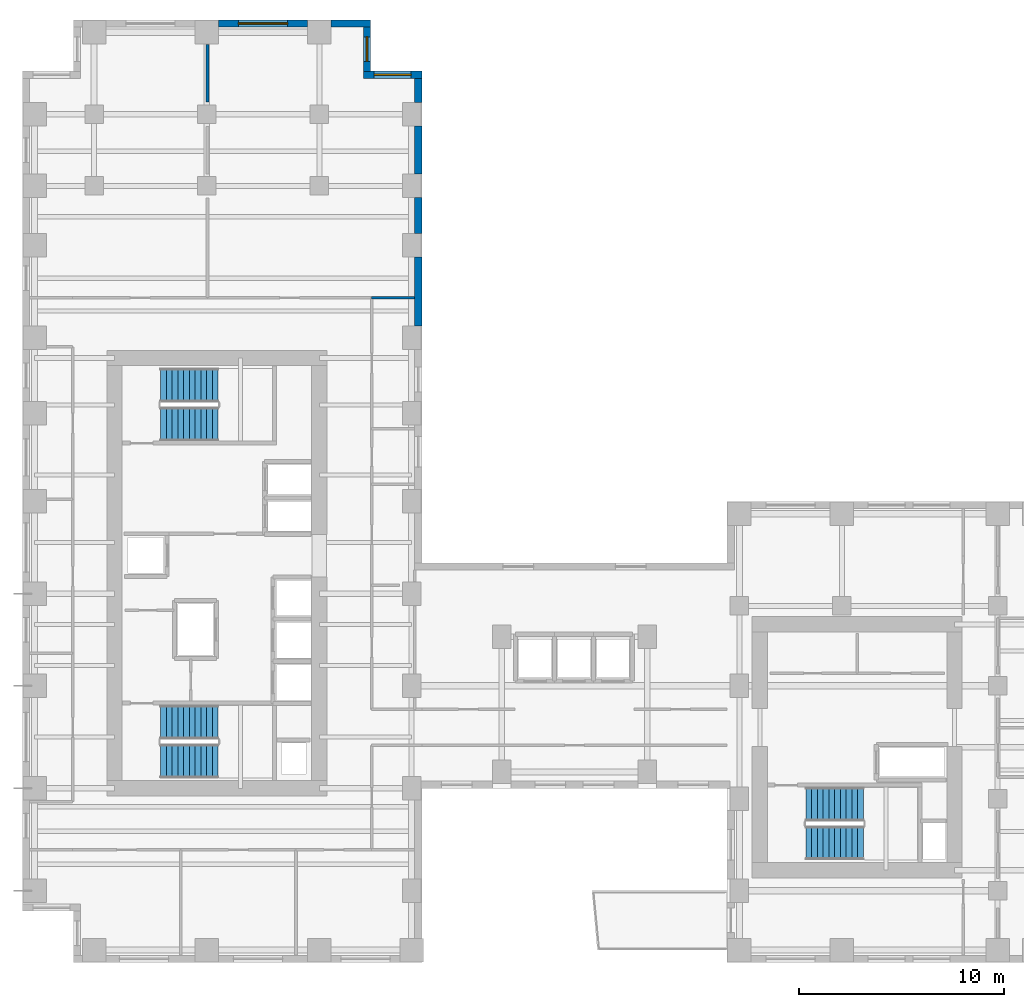
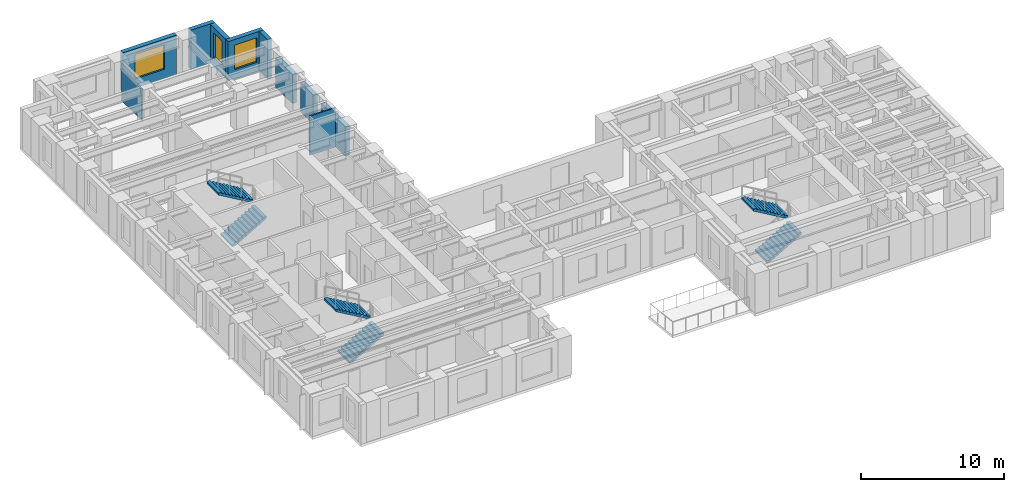
# One storey, part 9 of 12: 10 walls, 6 stair flights, 3 windows, 3 openings, 3 elements without a shape of their own.
"""IFC4 building model written with IfcOpenShell, lengths in metres."""

from ifc_helpers import new_model, si_unit, direction, frame, frame_2d, origin, place, context, subcontext, project, spatial, polyline, rectangle, outline, extrude, source, transform, mapped, material, layer, layer_set, type_object, element, fill, aggregate, save


model = new_model("IFC4")

# Units and contexts
model_context = context("Model", 3, precision=1e-05, world=origin(), true_north=direction((0.0, 1.0)))
body_context = subcontext(model_context, "Body", "Model", "MODEL_VIEW")
ifc_project = project(units=[si_unit("LENGTHUNIT", "METRE"), si_unit("AREAUNIT", "SQUARE_METRE"), si_unit("VOLUMEUNIT", "CUBIC_METRE"), si_unit("PLANEANGLEUNIT", "RADIAN"), si_unit("MASSUNIT", "GRAM", prefix="KILO")], contexts=[model_context])

# Site, building, storey
site_placement = place(None, origin())
site = spatial("IfcSite", under=ifc_project, at=site_placement, CompositionType="ELEMENT")
building_placement = place(site_placement, origin())
building = spatial("IfcBuilding", under=site, at=building_placement, Name="Kharzan Plaza Tower", CompositionType="ELEMENT")
storey_placement = place(building_placement, frame((0.0, 0.0, 106.199951171875)))
storey = spatial("IfcBuildingStorey", under=building, at=storey_placement, Name="L28", CompositionType="ELEMENT", Elevation=106.199951171875)

# Wall, opening, window
ifc_material_1 = material(Name="Concrete C40/50", Category="concrete")
ifc_layer_1 = layer(ifc_material_1, 0.35009765625)
ifc_layer_set_1 = layer_set([ifc_layer_1], Name="Concrete C40/50")
wall_type_1 = type_object("IfcWallType", Name="WL-EXT-MAS-Z2", PredefinedType="SOLIDWALL", material=ifc_layer_set_1)
wall_1_placement = place(storey_placement, frame((19.5, 43.324951171875, 0.0), z_axis=(0.0, 0.0, 1.0), x_axis=(-1.0, 0.0, 0.0)))
wall_1 = element("IfcWall", 1, at=wall_1_placement, inside=storey, type_object=wall_type_1, Name="L28 Masonry-Frame Exterior Wall 08", PredefinedType="SOLIDWALL", context=body_context, shape_type="SweptSolid", body=[
    extrude(rectangle(XDim=2.85009765625, YDim=0.35009765625, at=frame_2d((1.425048828125, 0.0))), origin(), (0.0, 0.0, 1.0), 3.364990234375),
])
opening_1_placement = place(wall_1_placement, frame((0.52490234375, 0.0, 0.780029296875)))
opening_1 = element("IfcOpeningElement", 2, at=opening_1_placement, cuts=wall_1, Name="Opening W1", PredefinedType="OPENING", context=body_context, shape_type="SweptSolid", body=[
    extrude(rectangle(XDim=1.800048828125, YDim=2.10009765625, at=frame_2d((0.89990234375, 1.050048828125))), frame((0.0, 0.18505859375, 0.0), z_axis=(0.0, -1.0, 0.0), x_axis=(1.0, 0.0, 0.0)), (0.0, 0.0, 1.0), 0.3701171875),
])
ifc_material_2 = material(Name="Low-E Double Glazing", Category="glass")
window_type_1 = type_object("IfcWindowType", Name="WN-REC-1800x2100", PartitioningType="SINGLE_PANEL", PredefinedType="WINDOW", material=ifc_material_2)
shared_shape_1 = source(origin(), body_context, "Body", "SweptSolid", [
    extrude(rectangle(XDim=1.800048828125, YDim=2.10009765625, at=frame_2d((0.89990234375, 1.050048828125))), frame((0.0, 0.030029296875, 0.0), z_axis=(0.0, -1.0, 0.0), x_axis=(1.0, 0.0, 0.0)), (0.0, 0.0, 1.0), 0.06005859375),
])
window_1_placement = place(opening_1_placement, origin())
window_1 = element("IfcWindow", 3, at=window_1_placement, inside=storey, type_object=window_type_1, Name="L28 Recessed Solar-Control Window 08-1", OverallHeight=2.10009765625, OverallWidth=1.800048828125, PartitioningType="SINGLE_PANEL", PredefinedType="WINDOW", context=body_context, shape_type="MappedRepresentation", body=[
    mapped(shared_shape_1, transform((0.0, 0.0, 0.0), x_axis=(1.0, 0.0, 0.0), y_axis=(0.0, 1.0, 0.0), z_axis=(0.0, 0.0, 1.0))),
])
fill(opening_1, window_1)

wall_2_placement = place(storey_placement, frame((16.824951171875, 43.498046875, 0.0), z_axis=(0.0, 0.0, 1.0), x_axis=(0.0, 1.0, 0.0)))
wall_2 = element("IfcWall", 4, at=wall_2_placement, inside=storey, type_object=wall_type_1, Name="L28 Masonry-Frame Exterior Wall 09", PredefinedType="SOLIDWALL", context=body_context, shape_type="SweptSolid", body=[
    extrude(rectangle(XDim=2.154052734375, YDim=0.35009765625, at=frame_2d((1.0771484375, 0.0))), origin(), (0.0, 0.0, 1.0), 3.364990234375),
])
opening_2_placement = place(wall_2_placement, frame((0.47705078125, 0.0, 0.780029296875)))
opening_2 = element("IfcOpeningElement", 5, at=opening_2_placement, cuts=wall_2, Name="Opening W3", PredefinedType="OPENING", context=body_context, shape_type="SweptSolid", body=[
    extrude(rectangle(XDim=1.199951171875, YDim=2.10009765625, at=frame_2d((0.60009765625, 1.050048828125))), frame((0.0, 0.18505859375, 0.0), z_axis=(0.0, -1.0, 0.0), x_axis=(1.0, 0.0, 0.0)), (0.0, 0.0, 1.0), 0.3701171875),
])
window_type_2 = type_object("IfcWindowType", Name="WN-REC-1200x2100", PartitioningType="SINGLE_PANEL", PredefinedType="WINDOW", material=ifc_material_2)
shared_shape_2 = source(origin(), body_context, "Body", "SweptSolid", [
    extrude(rectangle(XDim=1.199951171875, YDim=2.10009765625, at=frame_2d((0.60009765625, 1.050048828125))), frame((0.0, 0.030029296875, 0.0), z_axis=(0.0, -1.0, 0.0), x_axis=(1.0, 0.0, 0.0)), (0.0, 0.0, 1.0), 0.06005859375),
])
window_2_placement = place(opening_2_placement, origin())
window_2 = element("IfcWindow", 6, at=window_2_placement, inside=storey, type_object=window_type_2, Name="L28 Recessed Solar-Control Window 09-1", OverallHeight=2.10009765625, OverallWidth=1.199951171875, PartitioningType="SINGLE_PANEL", PredefinedType="WINDOW", context=body_context, shape_type="MappedRepresentation", body=[
    mapped(shared_shape_2, transform((0.0, 0.0, 0.0), x_axis=(1.0, 0.0, 0.0), y_axis=(0.0, 1.0, 0.0), z_axis=(0.0, 0.0, 1.0))),
])
fill(opening_2, window_2)

wall_3_placement = place(storey_placement, frame((13.927001953125, 45.824951171875, 0.0), z_axis=(0.0, 0.0, 1.0), x_axis=(-1.0, 0.0, 0.0)))
wall_3 = element("IfcWall", 7, at=wall_3_placement, inside=storey, type_object=wall_type_1, Name="L28 Masonry-Frame Exterior Wall 11", PredefinedType="SOLIDWALL", context=body_context, shape_type="SweptSolid", body=[
    extrude(rectangle(XDim=4.35400390625, YDim=0.35009765625, at=frame_2d((2.177001953125, 0.0))), origin(), (0.0, 0.0, 1.0), 3.364990234375),
])
opening_3_placement = place(wall_3_placement, frame((0.97705078125, 0.0, 0.780029296875)))
opening_3 = element("IfcOpeningElement", 8, at=opening_3_placement, cuts=wall_3, Name="Opening W2", PredefinedType="OPENING", context=body_context, shape_type="SweptSolid", body=[
    extrude(rectangle(XDim=2.39990234375, YDim=2.10009765625, at=frame_2d((1.199951171875, 1.050048828125))), frame((0.0, 0.18505859375, 0.0), z_axis=(0.0, -1.0, 0.0), x_axis=(1.0, 0.0, 0.0)), (0.0, 0.0, 1.0), 0.3701171875),
])
window_type_3 = type_object("IfcWindowType", Name="WN-REC-2400x2100", PartitioningType="SINGLE_PANEL", PredefinedType="WINDOW", material=ifc_material_2)
shared_shape_3 = source(origin(), body_context, "Body", "SweptSolid", [
    extrude(rectangle(XDim=2.39990234375, YDim=2.10009765625, at=frame_2d((1.199951171875, 1.050048828125))), frame((0.0, 0.030029296875, 0.0), z_axis=(0.0, -1.0, 0.0), x_axis=(1.0, 0.0, 0.0)), (0.0, 0.0, 1.0), 0.06005859375),
])
window_3_placement = place(opening_3_placement, origin())
window_3 = element("IfcWindow", 9, at=window_3_placement, inside=storey, type_object=window_type_3, Name="L28 Wide Recessed Solar-Control Window 11-1", OverallHeight=2.10009765625, OverallWidth=2.39990234375, PartitioningType="SINGLE_PANEL", PredefinedType="WINDOW", context=body_context, shape_type="MappedRepresentation", body=[
    mapped(shared_shape_3, transform((0.0, 0.0, 0.0), x_axis=(1.0, 0.0, 0.0), y_axis=(0.0, 1.0, 0.0), z_axis=(0.0, 0.0, 1.0))),
])
fill(opening_3, window_3)

# Walls
ifc_material_3 = material(Name="Fire-Rated Gypsum Board Partition", Category="gypsum")
ifc_layer_2 = layer(ifc_material_3, 0.125)
ifc_layer_set_2 = layer_set([ifc_layer_2], Name="Fire-Rated Gypsum Board Partition")
wall_type_2 = type_object("IfcWallType", Name="WL-INT-PART-125", PredefinedType="PARTITIONING", material=ifc_layer_set_2)
shared_shape_4 = source(origin(), body_context, "Body", "SweptSolid", [
    extrude(rectangle(XDim=2.097900390625, YDim=0.125, at=frame_2d((1.048828125, 0.0))), origin(), (0.0, 0.0, 1.0), 3.364990234375),
])
wall_4_placement = place(storey_placement, frame((17.050048828125, 32.449951171875, 0.0), z_axis=(0.0, 0.0, 1.0), x_axis=(1.0, 0.0, 0.0)))
element("IfcWall", 10, at=wall_4_placement, inside=storey, type_object=wall_type_2, Name="L28 Interior Partition SH-NNE0", PredefinedType="PARTITIONING", context=body_context, shape_type="MappedRepresentation", body=[
    mapped(shared_shape_4, transform((0.0, 0.0, 0.0), x_axis=(1.0, 0.0, 0.0), y_axis=(0.0, 1.0, 0.0), z_axis=(0.0, 0.0, 1.0))),
])
shared_shape_5 = source(origin(), body_context, "Body", "SweptSolid", [
    extrude(rectangle(XDim=1.927001953125, YDim=0.35009765625, at=frame_2d((0.96337890625, 0.0))), origin(), (0.0, 0.0, 1.0), 3.364990234375),
])
wall_5_placement = place(storey_placement, frame((17.0, 45.824951171875, 0.0), z_axis=(0.0, 0.0, 1.0), x_axis=(-1.0, 0.0, 0.0)))
element("IfcWall", 11, at=wall_5_placement, inside=storey, type_object=wall_type_1, Name="L28 Masonry-Frame Exterior Wall 10", PredefinedType="SOLIDWALL", context=body_context, shape_type="MappedRepresentation", body=[
    mapped(shared_shape_5, transform((0.0, 0.0, 0.0), x_axis=(1.0, 0.0, 0.0), y_axis=(0.0, 1.0, 0.0), z_axis=(0.0, 0.0, 1.0))),
])
shared_shape_6 = source(origin(), body_context, "Body", "SweptSolid", [
    extrude(rectangle(XDim=1.17919921875, YDim=0.35009765625, at=frame_2d((0.589599609375, 0.0))), origin(), (0.0, 0.0, 1.0), 3.364990234375),
])
wall_6_placement = place(storey_placement, frame((19.324951171875, 41.972900390625, 0.0), z_axis=(0.0, 0.0, 1.0), x_axis=(0.0, 1.0, 0.0)))
element("IfcWall", 12, at=wall_6_placement, inside=storey, type_object=wall_type_1, Name="L28 Masonry-Frame Exterior Wall 07", PredefinedType="SOLIDWALL", context=body_context, shape_type="MappedRepresentation", body=[
    mapped(shared_shape_6, transform((0.0, 0.0, 0.0), x_axis=(1.0, 0.0, 0.0), y_axis=(0.0, 1.0, 0.0), z_axis=(0.0, 0.0, 1.0))),
])
shared_shape_7 = source(origin(), body_context, "Body", "SweptSolid", [
    extrude(rectangle(XDim=1.75390625, YDim=0.35009765625, at=frame_2d((0.876953125, 0.0))), origin(), (0.0, 0.0, 1.0), 2.51904296875),
])
wall_7_placement = place(storey_placement, frame((19.324951171875, 35.572998046875, 0.0), z_axis=(0.0, 0.0, 1.0), x_axis=(0.0, 1.0, 0.0)))
element("IfcWall", 13, at=wall_7_placement, inside=storey, type_object=wall_type_1, Name="L28 Masonry-Frame Exterior Wall 05", PredefinedType="SOLIDWALL", context=body_context, shape_type="MappedRepresentation", body=[
    mapped(shared_shape_7, transform((0.0, 0.0, 0.0), x_axis=(1.0, 0.0, 0.0), y_axis=(0.0, 1.0, 0.0), z_axis=(0.0, 0.0, 1.0))),
])
shared_shape_8 = source(origin(), body_context, "Body", "SweptSolid", [
    extrude(rectangle(XDim=3.35400390625, YDim=0.35009765625, at=frame_2d((1.677001953125, 0.0))), origin(), (0.0, 0.0, 1.0), 2.51904296875),
])
wall_8_placement = place(storey_placement, frame((19.324951171875, 31.072998046875, 0.0), z_axis=(0.0, 0.0, 1.0), x_axis=(0.0, 1.0, 0.0)))
element("IfcWall", 14, at=wall_8_placement, inside=storey, type_object=wall_type_1, Name="L28 Masonry-Frame Exterior Wall 04", PredefinedType="SOLIDWALL", context=body_context, shape_type="MappedRepresentation", body=[
    mapped(shared_shape_8, transform((0.0, 0.0, 0.0), x_axis=(1.0, 0.0, 0.0), y_axis=(0.0, 1.0, 0.0), z_axis=(0.0, 0.0, 1.0))),
])
shared_shape_9 = source(origin(), body_context, "Body", "SweptSolid", [
    extrude(rectangle(XDim=2.35400390625, YDim=0.35009765625, at=frame_2d((1.177001953125, 0.0))), origin(), (0.0, 0.0, 1.0), 2.51904296875),
])
wall_9_placement = place(storey_placement, frame((19.324951171875, 38.472900390625, 0.0), z_axis=(0.0, 0.0, 1.0), x_axis=(0.0, 1.0, 0.0)))
element("IfcWall", 15, at=wall_9_placement, inside=storey, type_object=wall_type_1, Name="L28 Masonry-Frame Exterior Wall 06", PredefinedType="SOLIDWALL", context=body_context, shape_type="MappedRepresentation", body=[
    mapped(shared_shape_9, transform((0.0, 0.0, 0.0), x_axis=(1.0, 0.0, 0.0), y_axis=(0.0, 1.0, 0.0), z_axis=(0.0, 0.0, 1.0))),
])
shared_shape_10 = source(origin(), body_context, "Body", "SweptSolid", [
    extrude(rectangle(XDim=2.820068359375, YDim=0.125, at=frame_2d((1.41015625, 0.0))), origin(), (0.0, 0.0, 1.0), 2.677001953125),
])
wall_10_placement = place(storey_placement, frame((9.0390625, 41.989990234375, 0.0), z_axis=(0.0, 0.0, 1.0), x_axis=(0.0, 1.0, 0.0)))
element("IfcWall", 16, at=wall_10_placement, inside=storey, type_object=wall_type_2, Name="L28 Interior Partition SH-NV-1-S3", PredefinedType="PARTITIONING", context=body_context, shape_type="MappedRepresentation", body=[
    mapped(shared_shape_10, transform((0.0, 0.0, 0.0), x_axis=(1.0, 0.0, 0.0), y_axis=(0.0, 1.0, 0.0), z_axis=(0.0, 0.0, 1.0))),
])

# Stair, stair flights
stair_type_1 = type_object("IfcStairType", Name="STR-ST-1", PredefinedType="HALF_TURN_STAIR", material=ifc_material_1)
stair_1_placement = place(storey_placement, origin())
stair_1 = element("IfcStair", 17, at=stair_1_placement, inside=storey, type_object=stair_type_1, Name="L28 Protected Exit Stair ST-1", PredefinedType="HALF_TURN_STAIR")
stair_flight_type = type_object("IfcStairFlightType", Name="SFL-1650-R173", PredefinedType="STRAIGHT", material=ifc_material_1)
shared_shape_11 = source(origin(), body_context, "Body", "SweptSolid", [
    extrude(outline(polyline([(-0.0029296875, -0.011962890625), (-0.0029296875, 0.0), (0.0, 0.0), (0.0, 0.16357421875), (0.280029296875, 0.16357421875), (0.280029296875, 0.3271484375), (0.56005859375, 0.3271484375), (0.56005859375, 0.49072265625), (0.840087890625, 0.49072265625), (0.840087890625, 0.654296875), (1.1201171875, 0.654296875), (1.1201171875, 0.81787109375), (1.400146484375, 0.81787109375), (1.400146484375, 0.9814453125), (1.68017578125, 0.9814453125), (1.68017578125, 1.14501953125), (1.960205078125, 1.14501953125), (1.960205078125, 1.30859375), (2.240234375, 1.30859375), (2.240234375, 1.47216796875), (2.520263671875, 1.47216796875), (2.520263671875, 1.6357421875), (2.80029296875, 1.6357421875), (2.80029296875, 1.79931640625), (2.80029296875, 1.462158203125), (0.297119140625, 0.0), (0.297119140625, -0.011962890625), (-0.0029296875, -0.011962890625)])), frame((0.0, 0.824951171875, 0.0), z_axis=(0.0, -1.0, 0.0), x_axis=(1.0, 0.0, 0.0)), (0.0, 0.0, 1.0), 1.64990234375),
])
stair_flight_1_placement = place(storey_placement, frame((6.75, 9.824951171875, 0.0), z_axis=(0.0, 0.0, 1.0), x_axis=(1.0, 0.0, 0.0)))
stair_flight_1 = element("IfcStairFlight", 18, at=stair_flight_1_placement, type_object=stair_flight_type, Name="ST-1 flight 1", NumberOfRisers=11, NumberOfTreads=10, PredefinedType="STRAIGHT", RiserHeight=0.163636364, TreadLength=0.28, context=body_context, shape_type="MappedRepresentation", body=[
    mapped(shared_shape_11, transform((0.0, 0.0, 0.0), x_axis=(1.0, 0.0, 0.0), y_axis=(0.0, 1.0, 0.0), z_axis=(0.0, 0.0, 1.0))),
])
stair_flight_2_placement = place(storey_placement, frame((9.550048828125, 11.72509765625, 1.800048828125), z_axis=(0.0, 0.0, 1.0), x_axis=(-1.0, 0.0, 0.0)))
stair_flight_2 = element("IfcStairFlight", 19, at=stair_flight_2_placement, type_object=stair_flight_type, Name="ST-1 flight 2", NumberOfRisers=11, NumberOfTreads=10, PredefinedType="STRAIGHT", RiserHeight=0.163636364, TreadLength=0.28, context=body_context, shape_type="MappedRepresentation", body=[
    mapped(shared_shape_11, transform((0.0, 0.0, 0.0), x_axis=(1.0, 0.0, 0.0), y_axis=(0.0, 1.0, 0.0), z_axis=(0.0, 0.0, 1.0))),
])
aggregate(stair_1, [stair_flight_1, stair_flight_2])

stair_type_2 = type_object("IfcStairType", Name="STR-ST-2", PredefinedType="HALF_TURN_STAIR", material=ifc_material_1)
stair_2_placement = place(storey_placement, origin())
stair_2 = element("IfcStair", 20, at=stair_2_placement, inside=storey, type_object=stair_type_2, Name="L28 Protected Exit Stair ST-2", PredefinedType="HALF_TURN_STAIR")
stair_flight_3_placement = place(storey_placement, frame((6.75, 26.27490234375, 0.0), z_axis=(0.0, 0.0, 1.0), x_axis=(1.0, 0.0, 0.0)))
stair_flight_3 = element("IfcStairFlight", 21, at=stair_flight_3_placement, type_object=stair_flight_type, Name="ST-2 flight 1", NumberOfRisers=11, NumberOfTreads=10, PredefinedType="STRAIGHT", RiserHeight=0.163636364, TreadLength=0.28, context=body_context, shape_type="MappedRepresentation", body=[
    mapped(shared_shape_11, transform((0.0, 0.0, 0.0), x_axis=(1.0, 0.0, 0.0), y_axis=(0.0, 1.0, 0.0), z_axis=(0.0, 0.0, 1.0))),
])
stair_flight_4_placement = place(storey_placement, frame((9.550048828125, 28.175048828125, 1.800048828125), z_axis=(0.0, 0.0, 1.0), x_axis=(-1.0, 0.0, 0.0)))
stair_flight_4 = element("IfcStairFlight", 22, at=stair_flight_4_placement, type_object=stair_flight_type, Name="ST-2 flight 2", NumberOfRisers=11, NumberOfTreads=10, PredefinedType="STRAIGHT", RiserHeight=0.163636364, TreadLength=0.28, context=body_context, shape_type="MappedRepresentation", body=[
    mapped(shared_shape_11, transform((0.0, 0.0, 0.0), x_axis=(1.0, 0.0, 0.0), y_axis=(0.0, 1.0, 0.0), z_axis=(0.0, 0.0, 1.0))),
])
aggregate(stair_2, [stair_flight_3, stair_flight_4])

stair_type_3 = type_object("IfcStairType", Name="STR-ST-3", PredefinedType="HALF_TURN_STAIR", material=ifc_material_1)
stair_3_placement = place(storey_placement, origin())
stair_3 = element("IfcStair", 23, at=stair_3_placement, inside=storey, type_object=stair_type_3, Name="L28 Protected Exit Stair ST-3", PredefinedType="HALF_TURN_STAIR")
stair_flight_5_placement = place(storey_placement, frame((38.25, 5.824951171875, 0.0), z_axis=(0.0, 0.0, 1.0), x_axis=(1.0, 0.0, 0.0)))
stair_flight_5 = element("IfcStairFlight", 24, at=stair_flight_5_placement, type_object=stair_flight_type, Name="ST-3 flight 1", NumberOfRisers=11, NumberOfTreads=10, PredefinedType="STRAIGHT", RiserHeight=0.163636364, TreadLength=0.28, context=body_context, shape_type="MappedRepresentation", body=[
    mapped(shared_shape_11, transform((0.0, 0.0, 0.0), x_axis=(1.0, 0.0, 0.0), y_axis=(0.0, 1.0, 0.0), z_axis=(0.0, 0.0, 1.0))),
])
stair_flight_6_placement = place(storey_placement, frame((41.050048828125, 7.72509765625, 1.800048828125), z_axis=(0.0, 0.0, 1.0), x_axis=(-1.0, 0.0, 0.0)))
stair_flight_6 = element("IfcStairFlight", 25, at=stair_flight_6_placement, type_object=stair_flight_type, Name="ST-3 flight 2", NumberOfRisers=11, NumberOfTreads=10, PredefinedType="STRAIGHT", RiserHeight=0.163636364, TreadLength=0.28, context=body_context, shape_type="MappedRepresentation", body=[
    mapped(shared_shape_11, transform((0.0, 0.0, 0.0), x_axis=(1.0, 0.0, 0.0), y_axis=(0.0, 1.0, 0.0), z_axis=(0.0, 0.0, 1.0))),
])
aggregate(stair_3, [stair_flight_5, stair_flight_6])

save(model, "model.ifc")
